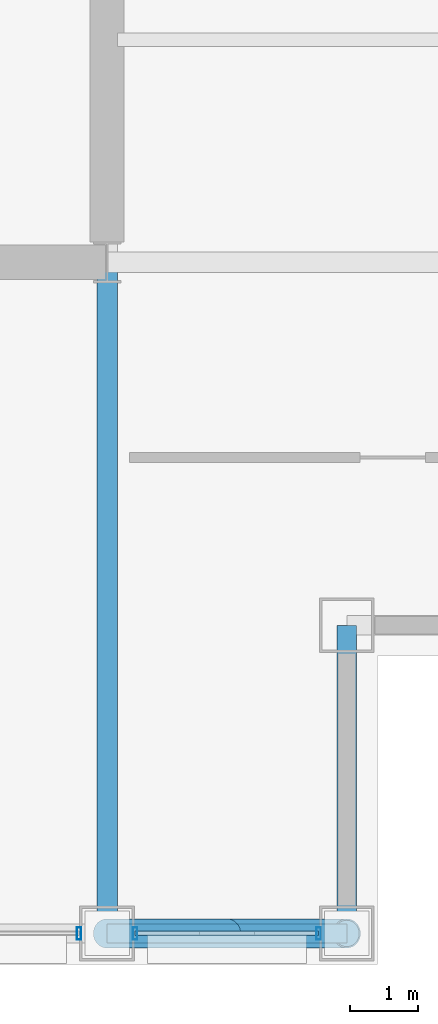
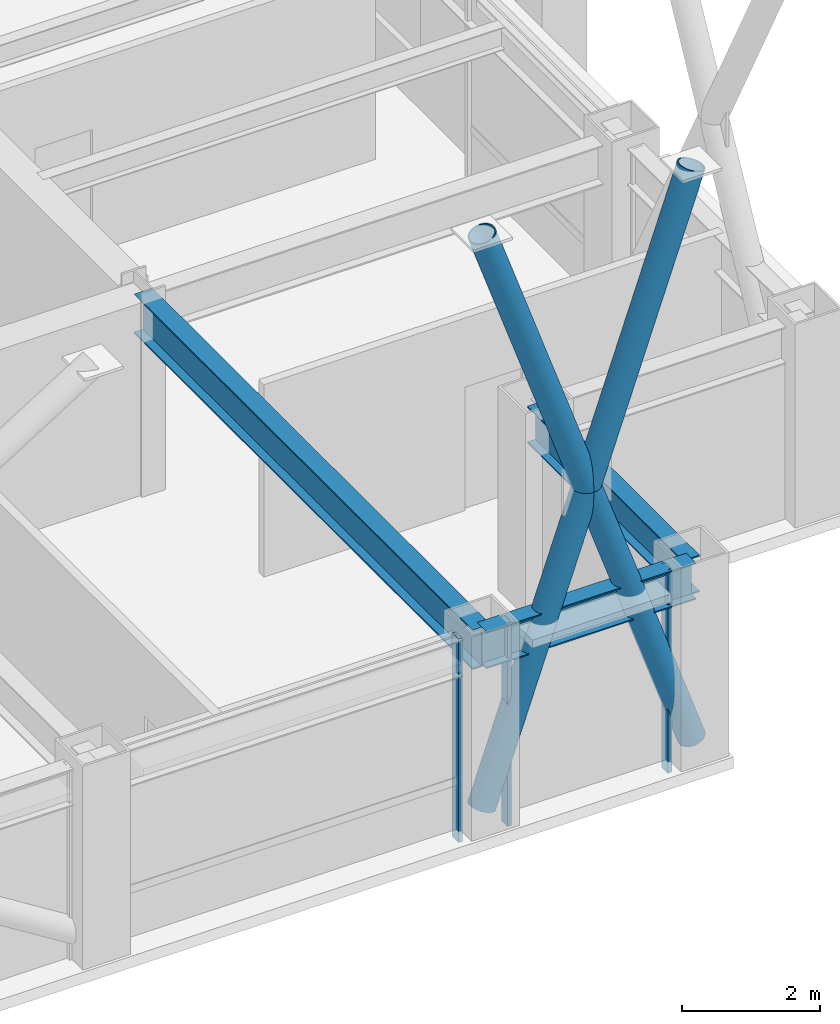
# One storey, part 12 of 33: 7 members, 3 beams, 2 elements without a shape of their own.
"""IFC4 building model written with IfcOpenShell, lengths in metres."""

from ifc_helpers import new_model, si_unit, direction, frame, origin, origin_2d, place, context, subcontext, project, spatial, hollow_rectangle, hollow_circle, i_section, extrude, material, layer, layer_set, material_profile, profile_set, type_object, element, aggregate, save


model = new_model("IFC4")

# Units and contexts
model_context = context("Model", 3, precision=1e-05, world=origin(), true_north=direction((0.0, 1.0)))
body_context = subcontext(model_context, "Body", "Model", "MODEL_VIEW")
ifc_project = project(units=[si_unit("LENGTHUNIT", "METRE"), si_unit("AREAUNIT", "SQUARE_METRE"), si_unit("VOLUMEUNIT", "CUBIC_METRE"), si_unit("PLANEANGLEUNIT", "RADIAN"), si_unit("MASSUNIT", "GRAM", prefix="KILO")], contexts=[model_context])

# Site, building, storey
site_placement = place(None, origin())
site = spatial("IfcSite", under=ifc_project, at=site_placement, CompositionType="ELEMENT")
building_placement = place(site_placement, origin())
building = spatial("IfcBuilding", under=site, at=building_placement, Name="Brelmoor Portico Tower", CompositionType="ELEMENT")
storey_placement = place(building_placement, frame((0.0, 0.0, 120.60009765625)))
storey = spatial("IfcBuildingStorey", under=building, at=storey_placement, Name="L31", CompositionType="ELEMENT", Elevation=120.60009765625)

# Beams
ifc_material_1 = material(Name="Steel Q355B", Category="steel")
ifc_material_profile_1 = material_profile(ifc_material_1, i_section(OverallWidth=0.300048828125, OverallDepth=0.699951171875, WebThickness=0.012939453125, FlangeThickness=0.02392578125, at=origin_2d()), Name="HN 700x300x13x24")
ifc_profile_set_1 = profile_set([ifc_material_profile_1], Name="Steel Q355B")
beam_type_1 = type_object("IfcBeamType", Name="BM-PG-700", PredefinedType="BEAM", material=ifc_profile_set_1)
beam_1_placement = place(storey_placement, frame((14.550048828125, -19.550048828125, 3.0498046875), z_axis=(0.0, 1.0, 0.0), x_axis=(-1.0, 0.0, 0.0)))
element("IfcBeam", 1, at=beam_1_placement, inside=storey, type_object=beam_type_1, Name="L31 Primary Floor Girder PG-10", PredefinedType="BEAM", context=body_context, shape_type="SweptSolid", body=[
    extrude(i_section(OverallWidth=0.300048828125, OverallDepth=0.699951171875, WebThickness=0.012939453125, FlangeThickness=0.02392578125, at=origin_2d()), origin(), (0.0, 0.0, 1.0), 9.800048828125),
])
ifc_material_profile_2 = material_profile(ifc_material_1, i_section(OverallWidth=0.280029296875, OverallDepth=0.64990234375, WebThickness=0.012939453125, FlangeThickness=0.02197265625, at=origin_2d()), Name="HN 650x280x13x22")
ifc_profile_set_2 = profile_set([ifc_material_profile_2], Name="Steel Q355B")
beam_type_2 = type_object("IfcBeamType", Name="BM-SP-650", PredefinedType="SPANDREL", material=ifc_profile_set_2)
beam_2_placement = place(storey_placement, frame((14.550048828125, -19.550048828125, 3.074951171875), z_axis=(1.0, 0.0, 0.0), x_axis=(0.0, 1.0, 0.0)))
element("IfcBeam", 2, at=beam_2_placement, inside=storey, type_object=beam_type_2, Name="L31 Perimeter Spandrel Beam SP-05", PredefinedType="SPANDREL", context=body_context, shape_type="SweptSolid", body=[
    extrude(i_section(OverallWidth=0.280029296875, OverallDepth=0.64990234375, WebThickness=0.012939453125, FlangeThickness=0.02197265625, at=origin_2d()), origin(), (0.0, 0.0, 1.0), 3.5),
])
beam_3_placement = place(storey_placement, frame((18.050048828125, -19.550048828125, 3.074951171875), z_axis=(0.0, 1.0, 0.0), x_axis=(-1.0, 0.0, 0.0)))
element("IfcBeam", 3, at=beam_3_placement, inside=storey, type_object=beam_type_2, Name="L31 Perimeter Spandrel Beam SP-20", PredefinedType="SPANDREL", context=body_context, shape_type="SweptSolid", body=[
    extrude(i_section(OverallWidth=0.280029296875, OverallDepth=0.64990234375, WebThickness=0.012939453125, FlangeThickness=0.02197265625, at=origin_2d()), origin(), (0.0, 0.0, 1.0), 4.5),
])

# Members
ifc_material_profile_3 = material_profile(ifc_material_1, hollow_circle(Radius=0.212890625, WallThickness=0.02001953125, at=origin_2d()), Name="CHS 426x20")
ifc_profile_set_3 = profile_set([ifc_material_profile_3], Name="Steel Q355B")
member_type_1 = type_object("IfcMemberType", Name="MB-BELT-DIAG1", PredefinedType="BRACE", material=ifc_profile_set_3)
member_1_placement = place(storey_placement, frame((14.550048828125, -19.550048828125, 0.25), z_axis=(0.327436099292, 0.0, 0.944873325309), x_axis=(0.0, 1.0, 0.0)))
element("IfcMember", 4, at=member_1_placement, inside=storey, type_object=member_type_1, Name="L31 Continuous Mega-X Brace 066A", PredefinedType="BRACE", context=body_context, shape_type="SweptSolid", body=[
    extrude(hollow_circle(Radius=0.212890625, WallThickness=0.02001953125, at=origin_2d()), origin(), (0.0, 0.0, 1.0), 10.689208984375),
])
member_2_placement = place(storey_placement, frame((18.050048828125, -19.550048828125, 0.25), z_axis=(-0.327443165844, 0.0, 0.944870876439), x_axis=(0.0, -1.0, 0.0)))
element("IfcMember", 5, at=member_2_placement, inside=storey, type_object=member_type_1, Name="L31 Split Mega-X Brace 066B1", PredefinedType="BRACE", context=body_context, shape_type="SweptSolid", body=[
    extrude(hollow_circle(Radius=0.212890625, WallThickness=0.02001953125, at=origin_2d()), origin(), (0.0, 0.0, 1.0), 5.344482421875),
])
member_3_placement = place(storey_placement, frame((16.300048828125, -19.550048828125, 5.2998046875), z_axis=(-0.327429033028, 0.0, 0.94487577402), x_axis=(0.0, -1.0, 0.0)))
element("IfcMember", 6, at=member_3_placement, inside=storey, type_object=member_type_1, Name="L31 Split Mega-X Brace 066B2", PredefinedType="BRACE", context=body_context, shape_type="SweptSolid", body=[
    extrude(hollow_circle(Radius=0.212890625, WallThickness=0.02001953125, at=origin_2d()), origin(), (0.0, 0.0, 1.0), 5.3447265625),
])

# Curtain wall, member
ifc_material_2 = material(Name="Anodised Aluminium Alloy 6063-T6", Category="aluminium")
ifc_layer_1 = layer(ifc_material_2, 0.179931640625)
ifc_layer_set_1 = layer_set([ifc_layer_1], Name="Anodised Aluminium Alloy 6063-T6")
curtain_wall_type_1 = type_object("IfcCurtainWallType", Name="CW-TOWER-Z2", PredefinedType="NOTDEFINED", material=ifc_layer_set_1)
curtain_wall_1_placement = place(storey_placement, origin())
curtain_wall_1 = element("IfcCurtainWall", 7, at=curtain_wall_1_placement, inside=storey, type_object=curtain_wall_type_1, Name="L31 Curtain Wall CW-L31-01-4", PredefinedType="NOTDEFINED")
ifc_material_profile_4 = material_profile(ifc_material_2, hollow_rectangle(XDim=0.06494140625, YDim=0.179931640625, WallThickness=0.00390625, at=origin_2d()), Name="ALU MULLION 65x180")
ifc_profile_set_4 = profile_set([ifc_material_profile_4], Name="Anodised Aluminium Alloy 6063-T6")
member_type_2 = type_object("IfcMemberType", Name="MB-CW-MULL-180", PredefinedType="MULLION", material=ifc_profile_set_4)
member_4_placement = place(storey_placement, frame((14.139892578125, -19.550048828125, -0.2001953125), z_axis=(0.0, 0.0, 1.0), x_axis=(1.0, 0.0, 0.0)))
member_4 = element("IfcMember", 8, at=member_4_placement, type_object=member_type_2, Name="CW-L31-01-4 Mullion 01", PredefinedType="MULLION", context=body_context, shape_type="SweptSolid", body=[
    extrude(hollow_rectangle(XDim=0.06494140625, YDim=0.179931640625, WallThickness=0.00390625, at=origin_2d()), origin(), (0.0, 0.0, 1.0), 3.60009765625),
])
aggregate(curtain_wall_1, [member_4])

# Curtain wall, members
ifc_layer_2 = layer(ifc_material_2, 0.179931640625)
ifc_layer_set_2 = layer_set([ifc_layer_2], Name="Anodised Aluminium Alloy 6063-T6")
curtain_wall_type_2 = type_object("IfcCurtainWallType", Name="CW-TOWER-Z2-XB", PredefinedType="NOTDEFINED", material=ifc_layer_set_2)
curtain_wall_2_placement = place(storey_placement, origin())
curtain_wall_2 = element("IfcCurtainWall", 9, at=curtain_wall_2_placement, inside=storey, type_object=curtain_wall_type_2, Name="L31 Curtain Wall CW-L31-01-5", PredefinedType="NOTDEFINED")
member_5_placement = place(storey_placement, frame((14.9599609375, -19.550048828125, -0.2001953125), z_axis=(0.0, 0.0, 1.0), x_axis=(1.0, 0.0, 0.0)))
member_5 = element("IfcMember", 10, at=member_5_placement, type_object=member_type_2, Name="CW-L31-01-5 Mullion 00", PredefinedType="MULLION", context=body_context, shape_type="SweptSolid", body=[
    extrude(hollow_rectangle(XDim=0.06494140625, YDim=0.179931640625, WallThickness=0.00390625, at=origin_2d()), origin(), (0.0, 0.0, 1.0), 3.60009765625),
])
member_6_placement = place(storey_placement, frame((17.639892578125, -19.550048828125, -0.2001953125), z_axis=(0.0, 0.0, 1.0), x_axis=(1.0, 0.0, 0.0)))
member_6 = element("IfcMember", 11, at=member_6_placement, type_object=member_type_2, Name="CW-L31-01-5 Mullion 01", PredefinedType="MULLION", context=body_context, shape_type="SweptSolid", body=[
    extrude(hollow_rectangle(XDim=0.06494140625, YDim=0.179931640625, WallThickness=0.00390625, at=origin_2d()), origin(), (0.0, 0.0, 1.0), 3.60009765625),
])
ifc_material_profile_5 = material_profile(ifc_material_2, hollow_rectangle(XDim=0.06494140625, YDim=0.139892578125, WallThickness=0.00390625, at=origin_2d()), Name="ALU TRANSOM 65x140")
ifc_profile_set_5 = profile_set([ifc_material_profile_5], Name="Anodised Aluminium Alloy 6063-T6")
member_type_3 = type_object("IfcMemberType", Name="MB-CW-TRAN-140", PredefinedType="USERDEFINED", material=ifc_profile_set_5)
member_7_placement = place(storey_placement, frame((14.9599609375, -19.550048828125, 3.329833984375), z_axis=(1.0, 0.0, 0.0), x_axis=(0.0, 1.0, 0.0)))
member_7 = element("IfcMember", 12, at=member_7_placement, type_object=member_type_3, Name="CW-L31-01-5 Transom 1-00", ObjectType="TRANSOM", PredefinedType="USERDEFINED", context=body_context, shape_type="SweptSolid", body=[
    extrude(hollow_rectangle(XDim=0.06494140625, YDim=0.139892578125, WallThickness=0.00390625, at=origin_2d()), origin(), (0.0, 0.0, 1.0), 2.679931640625),
])
aggregate(curtain_wall_2, [member_5, member_6, member_7])

save(model, "model.ifc")
